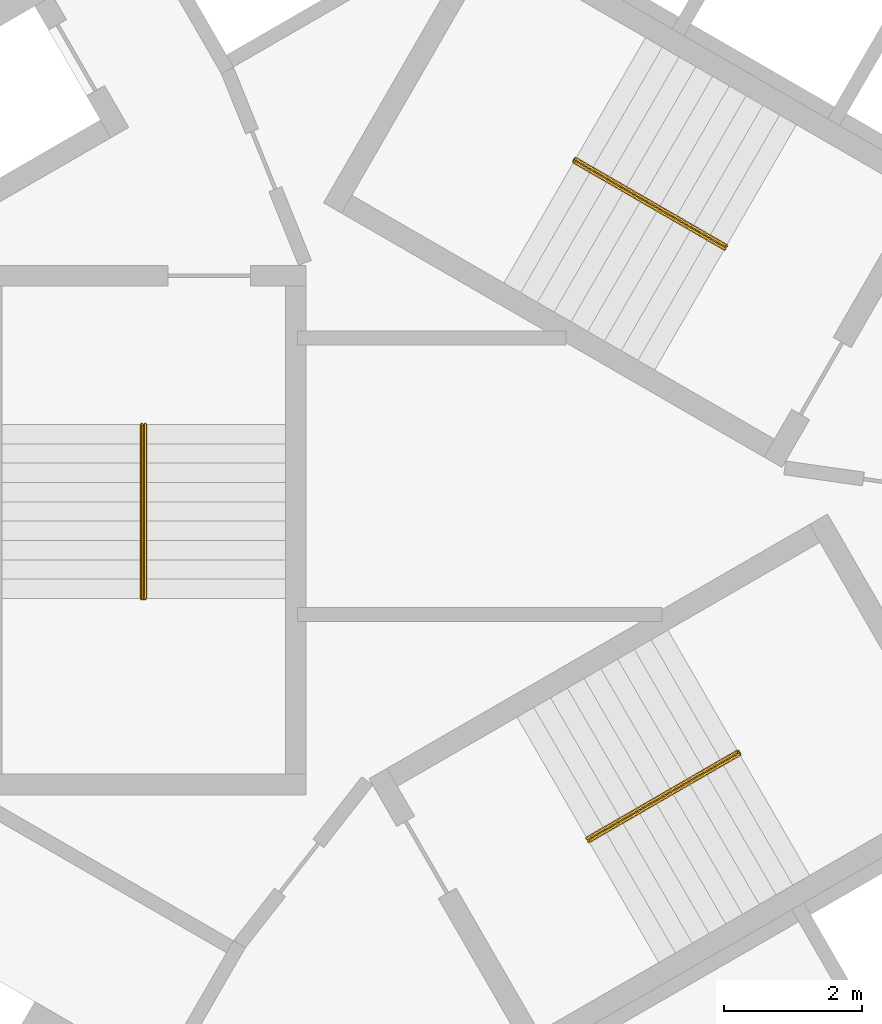
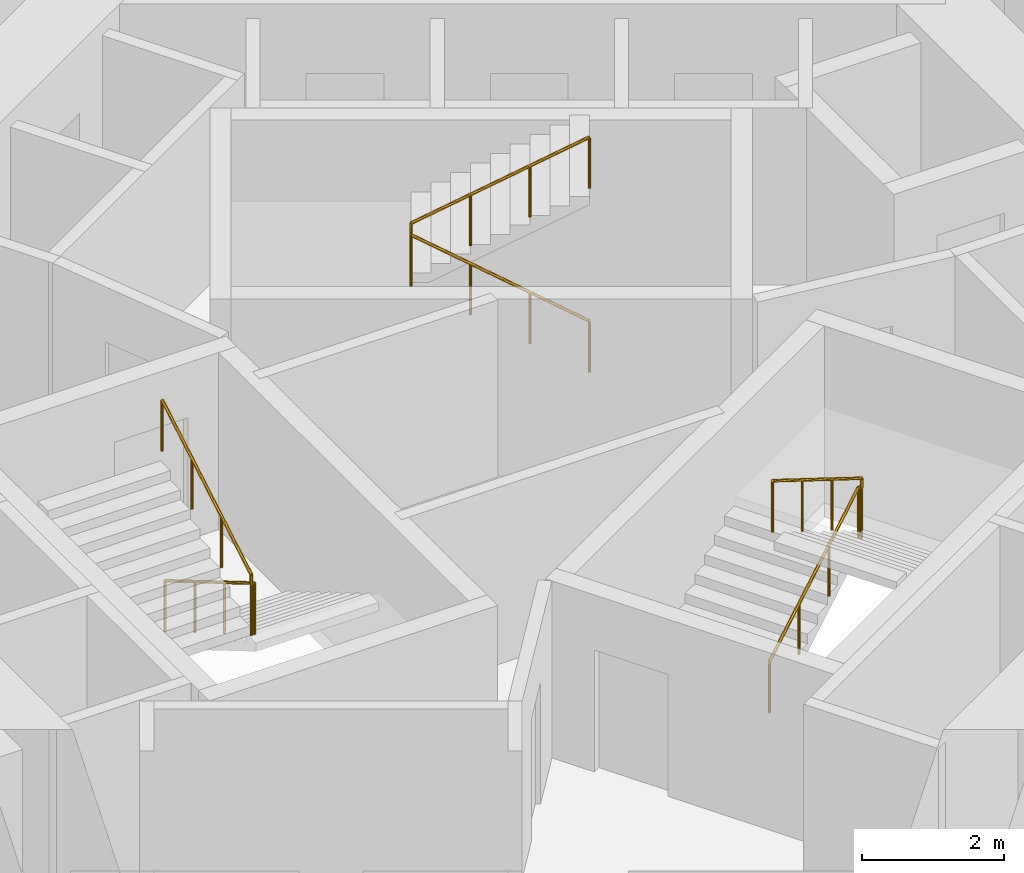
# One storey, part 12 of 12: 3 railings.
"""IFC4 building model written with IfcOpenShell, lengths in metres."""

from ifc_helpers import new_model, si_unit, direction, frame, origin, origin_2d, place, context, subcontext, project, spatial, circle, extrude, material, type_object, element, save


model = new_model("IFC4")

# Units and contexts
model_context = context("Model", 3, precision=1e-05, world=origin(), true_north=direction((0.0, 1.0)))
body_context = subcontext(model_context, "Body", "Model", "MODEL_VIEW")
ifc_project = project(units=[si_unit("LENGTHUNIT", "METRE"), si_unit("AREAUNIT", "SQUARE_METRE"), si_unit("VOLUMEUNIT", "CUBIC_METRE"), si_unit("PLANEANGLEUNIT", "RADIAN"), si_unit("MASSUNIT", "GRAM", prefix="KILO")], contexts=[model_context])

# Site, building, storey
site_placement = place(None, origin())
site = spatial("IfcSite", under=ifc_project, at=site_placement, CompositionType="ELEMENT")
building_placement = place(site_placement, origin())
building = spatial("IfcBuilding", under=site, at=building_placement, Name="Vanh Sen Convention Tower", CompositionType="ELEMENT")
storey_placement = place(building_placement, frame((0.0, 0.0, 86.89990234375)))
storey = spatial("IfcBuildingStorey", under=building, at=storey_placement, Name="L19", CompositionType="ELEMENT", Elevation=86.89990234375)

# Railings
ifc_material = material(Name="Stainless steel handrail", Category="steel")
railing_type = type_object("IfcRailingType", Name="Stair handrail 900", PredefinedType="HANDRAIL", material=ifc_material)
railing_1_placement = place(storey_placement, frame((3.45849609375, 3.690185546875, 0.1650390625)))
element("IfcRailing", 1, at=railing_1_placement, inside=storey, type_object=railing_type, Name="Stair handrail ST1 L19", PredefinedType="HANDRAIL", context=body_context, shape_type="SweptSolid", body=[
    extrude(circle(Radius=0.02392578125, at=origin_2d()), frame((0.0, 0.0, 0.8759765625), z_axis=(-0.746134546661, 0.430738299252, 0.507688640642), x_axis=(-0.499962843328, -0.866046855136, 0.0)), (0.0, 0.0, 1.0), 2.92529296875),
    extrude(circle(Radius=0.02392578125, at=origin_2d()), frame((-2.1826171875, 1.260009765625, 2.36083984375), z_axis=(0.502959906984, 0.86430974307, 0.0), x_axis=(-0.86430974307, 0.502959906984, 0.0)), (0.0, 0.0, 1.0), 0.050048828125),
    extrude(circle(Radius=0.02392578125, at=origin_2d()), frame((-2.157470703125, 1.30322265625, 2.36083984375), z_axis=(0.0, 0.0, 1.0), x_axis=(1.0, 0.0, 0.0)), (0.0, 0.0, 1.0), 0.1650390625),
    extrude(circle(Radius=0.02392578125, at=origin_2d()), frame((-2.157470703125, 1.30322265625, 2.52587890625), z_axis=(0.746129163535, -0.430783377672, 0.507658303235), x_axis=(0.500004791531, 0.866022637375, 0.0)), (0.0, 0.0, 1.0), 2.9248046875),
    extrude(circle(Radius=0.02099609375, at=origin_2d()), origin(), (0.0, 0.0, 1.0), 0.851806640625),
    extrude(circle(Radius=0.02099609375, at=origin_2d()), frame((-0.7275390625, 0.419921875, 0.4951171875)), (0.0, 0.0, 1.0), 0.851806640625),
    extrude(circle(Radius=0.02099609375, at=origin_2d()), frame((-1.455078125, 0.840087890625, 0.989990234375)), (0.0, 0.0, 1.0), 0.851806640625),
    extrude(circle(Radius=0.02099609375, at=origin_2d()), frame((-2.1826171875, 1.260009765625, 1.485107421875)), (0.0, 0.0, 1.0), 0.851806640625),
    extrude(circle(Radius=0.02099609375, at=origin_2d()), frame((-2.157470703125, 1.30322265625, 1.485107421875)), (0.0, 0.0, 1.0), 0.851806640625),
    extrude(circle(Radius=0.02099609375, at=origin_2d()), frame((-2.157470703125, 1.30322265625, 1.650146484375)), (0.0, 0.0, 1.0), 0.851806640625),
    extrude(circle(Radius=0.02099609375, at=origin_2d()), frame((-1.429931640625, 0.88330078125, 2.14501953125)), (0.0, 0.0, 1.0), 0.851806640625),
    extrude(circle(Radius=0.02099609375, at=origin_2d()), frame((-0.70263671875, 0.463134765625, 2.64013671875)), (0.0, 0.0, 1.0), 0.851806640625),
    extrude(circle(Radius=0.02099609375, at=origin_2d()), frame((0.02490234375, 0.043212890625, 3.135009765625)), (0.0, 0.0, 1.0), 0.851806640625),
])
railing_2_placement = place(storey_placement, frame((-4.925048828125, 1.14990234375, 0.1650390625)))
element("IfcRailing", 2, at=railing_2_placement, inside=storey, type_object=railing_type, Name="Stair handrail ST2 L19", PredefinedType="HANDRAIL", context=body_context, shape_type="SweptSolid", body=[
    extrude(circle(Radius=0.02392578125, at=origin_2d()), frame((0.0, 0.0, 0.8759765625), z_axis=(0.0, -0.86152411907, 0.507716645641), x_axis=(1.0, 0.0, 0.0)), (0.0, 0.0, 1.0), 2.925048828125),
    extrude(circle(Radius=0.02392578125, at=origin_2d()), frame((0.0, -2.52001953125, 2.36083984375), z_axis=(-1.0, 0.0, 0.0), x_axis=(0.0, -1.0, 0.0)), (0.0, 0.0, 1.0), 0.050048828125),
    extrude(circle(Radius=0.02392578125, at=origin_2d()), frame((-0.050048828125, -2.52001953125, 2.36083984375), z_axis=(0.0, 0.0, 1.0), x_axis=(1.0, 0.0, 0.0)), (0.0, 0.0, 1.0), 0.1650390625),
    extrude(circle(Radius=0.02392578125, at=origin_2d()), frame((-0.050048828125, -2.52001953125, 2.52587890625), z_axis=(0.0, 0.861560626758, 0.507654692109), x_axis=(-1.0, 0.0, 0.0)), (0.0, 0.0, 1.0), 2.925048828125),
    extrude(circle(Radius=0.02099609375, at=origin_2d()), origin(), (0.0, 0.0, 1.0), 0.851806640625),
    extrude(circle(Radius=0.02099609375, at=origin_2d()), frame((0.0, -0.840087890625, 0.4951171875)), (0.0, 0.0, 1.0), 0.851806640625),
    extrude(circle(Radius=0.02099609375, at=origin_2d()), frame((0.0, -1.679931640625, 0.989990234375)), (0.0, 0.0, 1.0), 0.851806640625),
    extrude(circle(Radius=0.02099609375, at=origin_2d()), frame((0.0, -2.52001953125, 1.485107421875)), (0.0, 0.0, 1.0), 0.851806640625),
    extrude(circle(Radius=0.02099609375, at=origin_2d()), frame((-0.050048828125, -2.52001953125, 1.485107421875)), (0.0, 0.0, 1.0), 0.851806640625),
    extrude(circle(Radius=0.02099609375, at=origin_2d()), frame((-0.050048828125, -2.52001953125, 1.650146484375)), (0.0, 0.0, 1.0), 0.851806640625),
    extrude(circle(Radius=0.02099609375, at=origin_2d()), frame((-0.050048828125, -1.679931640625, 2.14501953125)), (0.0, 0.0, 1.0), 0.851806640625),
    extrude(circle(Radius=0.02099609375, at=origin_2d()), frame((-0.050048828125, -0.840087890625, 2.64013671875)), (0.0, 0.0, 1.0), 0.851806640625),
    extrude(circle(Radius=0.02099609375, at=origin_2d()), frame((-0.050048828125, 0.0, 3.135009765625)), (0.0, 0.0, 1.0), 0.851806640625),
])
railing_3_placement = place(storey_placement, frame((1.466552734375, -4.840087890625, 0.1650390625)))
element("IfcRailing", 3, at=railing_3_placement, inside=storey, type_object=railing_type, Name="Stair handrail ST3 L19", PredefinedType="HANDRAIL", context=body_context, shape_type="SweptSolid", body=[
    extrude(circle(Radius=0.02392578125, at=origin_2d()), frame((0.0, 0.0, 0.8759765625), z_axis=(0.746097546679, 0.430765123438, 0.507720256902), x_axis=(-0.500004791531, 0.866022637375, 0.0)), (0.0, 0.0, 1.0), 2.925048828125),
    extrude(circle(Radius=0.02392578125, at=origin_2d()), frame((2.182373046875, 1.260009765625, 2.36083984375), z_axis=(0.500844580232, -0.86553723574, 0.0), x_axis=(0.86553723574, 0.500844580232, 0.0)), (0.0, 0.0, 1.0), 0.05029296875),
    extrude(circle(Radius=0.02392578125, at=origin_2d()), frame((2.20751953125, 1.216552734375, 2.36083984375), z_axis=(0.0, 0.0, 1.0), x_axis=(1.0, 0.0, 0.0)), (0.0, 0.0, 1.0), 0.1650390625),
    extrude(circle(Radius=0.02392578125, at=origin_2d()), frame((2.20751953125, 1.216552734375, 2.52587890625), z_axis=(-0.746129163535, -0.430783377672, 0.507658303235), x_axis=(0.500004791531, -0.866022637375, 0.0)), (0.0, 0.0, 1.0), 2.9248046875),
    extrude(circle(Radius=0.02099609375, at=origin_2d()), origin(), (0.0, 0.0, 1.0), 0.851806640625),
    extrude(circle(Radius=0.02099609375, at=origin_2d()), frame((0.7275390625, 0.419921875, 0.4951171875)), (0.0, 0.0, 1.0), 0.851806640625),
    extrude(circle(Radius=0.02099609375, at=origin_2d()), frame((1.454833984375, 0.840087890625, 0.989990234375)), (0.0, 0.0, 1.0), 0.851806640625),
    extrude(circle(Radius=0.02099609375, at=origin_2d()), frame((2.182373046875, 1.260009765625, 1.485107421875)), (0.0, 0.0, 1.0), 0.851806640625),
    extrude(circle(Radius=0.02099609375, at=origin_2d()), frame((2.20751953125, 1.216552734375, 1.485107421875)), (0.0, 0.0, 1.0), 0.851806640625),
    extrude(circle(Radius=0.02099609375, at=origin_2d()), frame((2.20751953125, 1.216552734375, 1.650146484375)), (0.0, 0.0, 1.0), 0.851806640625),
    extrude(circle(Radius=0.02099609375, at=origin_2d()), frame((1.47998046875, 0.796630859375, 2.14501953125)), (0.0, 0.0, 1.0), 0.851806640625),
    extrude(circle(Radius=0.02099609375, at=origin_2d()), frame((0.752685546875, 0.37646484375, 2.64013671875)), (0.0, 0.0, 1.0), 0.851806640625),
    extrude(circle(Radius=0.02099609375, at=origin_2d()), frame((0.025146484375, -0.04345703125, 3.135009765625)), (0.0, 0.0, 1.0), 0.851806640625),
])

save(model, "model.ifc")
